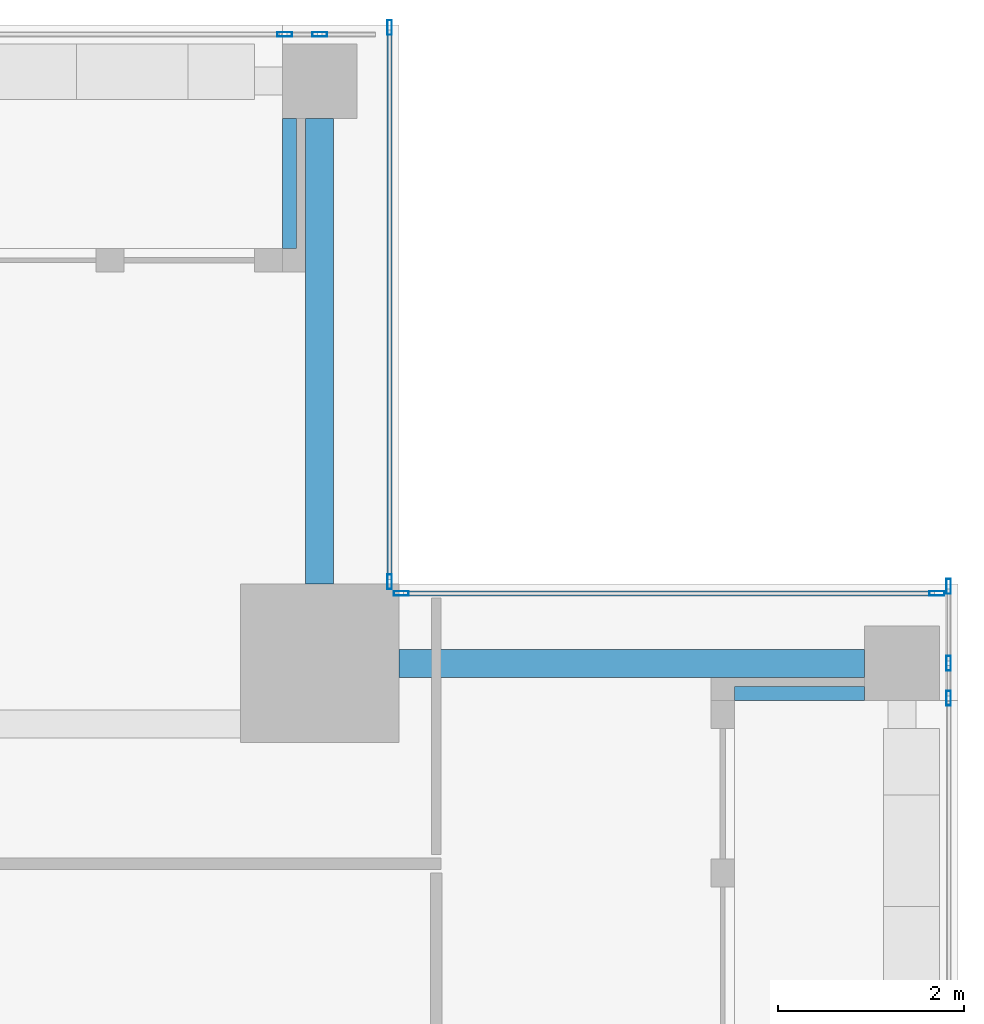
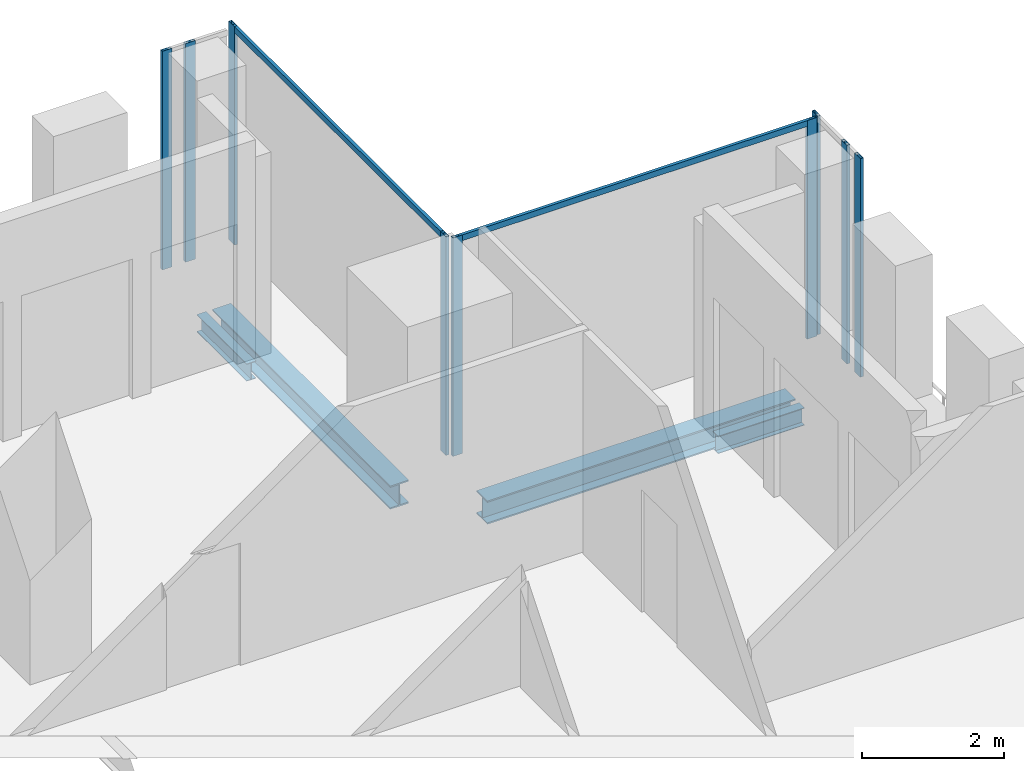
# One storey, part 18 of 29: 11 members, 4 beams, 4 elements without a shape of their own.
"""IFC4 building model written with IfcOpenShell, lengths in metres."""

from ifc_helpers import new_model, si_unit, direction, frame, origin, origin_2d, place, context, subcontext, project, spatial, hollow_rectangle, i_section, extrude, source, transform, mapped, material, material_profile, profile_set, type_object, element, aggregate, save


model = new_model("IFC4")

# Units and contexts
model_context = context("Model", 3, precision=1e-05, world=origin(), true_north=direction((0.0, 1.0)))
body_context = subcontext(model_context, "Body", "Model", "MODEL_VIEW")
ifc_project = project(units=[si_unit("LENGTHUNIT", "METRE"), si_unit("AREAUNIT", "SQUARE_METRE"), si_unit("VOLUMEUNIT", "CUBIC_METRE"), si_unit("PLANEANGLEUNIT", "RADIAN"), si_unit("MASSUNIT", "GRAM", prefix="KILO")], contexts=[model_context])

# Site, building, storey
site_placement = place(None, origin())
site = spatial("IfcSite", under=ifc_project, at=site_placement, CompositionType="ELEMENT")
building_placement = place(site_placement, origin())
building = spatial("IfcBuilding", under=site, at=building_placement, Name="Khomas Fold Tower", CompositionType="ELEMENT")
storey_placement = place(building_placement, frame((0.0, 0.0, 310.199951171875)))
storey = spatial("IfcBuildingStorey", under=building, at=storey_placement, Name="L70", CompositionType="ELEMENT", Elevation=310.199951171875)

# Beams
ifc_material_1 = material(Name="Steel S355", Category="steel")
ifc_material_profile_1 = material_profile(ifc_material_1, i_section(OverallWidth=0.300048828125, OverallDepth=0.39990234375, WebThickness=0.013427734375, FlangeThickness=0.02392578125, at=origin_2d()), Name="HE 400 B")
ifc_profile_set_1 = profile_set([ifc_material_profile_1], Name="Steel S355")
beam_type_1 = type_object("IfcBeamType", Name="HE 400 B spandrel SB5", PredefinedType="SPANDREL", material=ifc_profile_set_1)
shared_shape_1 = source(origin(), body_context, "Body", "SweptSolid", [
    extrude(i_section(OverallWidth=0.300048828125, OverallDepth=0.39990234375, WebThickness=0.013427734375, FlangeThickness=0.02392578125, at=origin_2d()), origin(), (0.0, 0.0, 1.0), 5.0),
])
for number, where, z_axis, x_axis, name in (
    (1, (42.0, 41.14990234375, -0.449951171875), (1.0, 0.0, 0.0), (0.0, 1.0, 0.0), "SB5"),
    (2, (41.14990234375, 42.0, -0.449951171875), (0.0, 1.0, 0.0), (-1.0, 0.0, 0.0), "SB5"),
):
    element("IfcBeam", number, at=place(storey_placement, frame(where, z_axis=z_axis, x_axis=x_axis)), inside=storey, type_object=beam_type_1, Name=name, PredefinedType="SPANDREL", context=body_context, shape_type="MappedRepresentation", body=[
        mapped(shared_shape_1, transform((0.0, 0.0, 0.0))),
    ])
ifc_material_2 = material(Name="Steel S355", Category="steel")
ifc_material_profile_2 = material_profile(ifc_material_2, i_section(OverallWidth=0.14990234375, OverallDepth=0.300048828125, WebThickness=0.007080078125, FlangeThickness=0.0107421875, at=origin_2d()), Name="IPE 300")
ifc_profile_set_2 = profile_set([ifc_material_profile_2], Name="Steel S355")
beam_type_2 = type_object("IfcBeamType", Name="IPE 300 beam BB2", PredefinedType="BEAM", material=ifc_profile_set_2)
shared_shape_2 = source(origin(), body_context, "Body", "SweptSolid", [
    extrude(i_section(OverallWidth=0.14990234375, OverallDepth=0.300048828125, WebThickness=0.007080078125, FlangeThickness=0.0107421875, at=origin_2d()), origin(), (0.0, 0.0, 1.0), 1.39990234375),
])
for number, where, z_axis, x_axis, name in (
    (3, (45.60009765625, 40.824951171875, -0.39990234375), (1.0, 0.0, 0.0), (0.0, 1.0, 0.0), "BB2"),
    (4, (40.824951171875, 45.60009765625, -0.39990234375), (0.0, 1.0, 0.0), (-1.0, 0.0, 0.0), "BB2"),
):
    element("IfcBeam", number, at=place(storey_placement, frame(where, z_axis=z_axis, x_axis=x_axis)), inside=storey, type_object=beam_type_2, Name=name, PredefinedType="BEAM", context=body_context, shape_type="MappedRepresentation", body=[
        mapped(shared_shape_2, transform((0.0, 0.0, 0.0))),
    ])

# Curtain wall, members
ifc_material_3 = material(Name="Aluminium framed double glazing", Category="aluminium")
curtain_wall_type = type_object("IfcCurtainWallType", Name="SK-Unitised clear-glass wall, upper floors CW3", PredefinedType="NOTDEFINED", material=ifc_material_3)
curtain_wall_1_placement = place(storey_placement, origin())
curtain_wall_1 = element("IfcCurtainWall", 5, at=curtain_wall_1_placement, inside=storey, type_object=curtain_wall_type, Name="CW3 run L70 03-1", PredefinedType="NOTDEFINED")
ifc_material_4 = material(Name="Aluminium", Category="aluminium")
ifc_material_profile_3 = material_profile(ifc_material_4, hollow_rectangle(XDim=0.050048828125, YDim=0.159912109375, WallThickness=0.00390625, at=origin_2d()), Name="SK-Unitised clear-glass wall, upper floors mullion CW3-M")
ifc_profile_set_3 = profile_set([ifc_material_profile_3], Name="Aluminium")
member_type_1 = type_object("IfcMemberType", Name="SK-Unitised clear-glass wall, upper floors mullion CW3-M", PredefinedType="MULLION", material=ifc_profile_set_3)
shared_shape_3 = source(origin(), body_context, "Body", "SweptSolid", [
    extrude(hollow_rectangle(XDim=0.050048828125, YDim=0.159912109375, WallThickness=0.00390625, at=origin_2d()), origin(), (0.0, 0.0, 1.0), 3.75),
])
member_1_placement = place(storey_placement, frame((47.89990234375, 40.77490234375, 0.0), z_axis=(0.0, 0.0, 1.0), x_axis=(-1.0, 0.0, 0.0)))
member_1 = element("IfcMember", 6, at=member_1_placement, type_object=member_type_1, Name="CW3 mullion 1", PredefinedType="MULLION", context=body_context, shape_type="MappedRepresentation", body=[
    mapped(shared_shape_3, transform((0.0, 0.0, 0.0))),
])
member_2_placement = place(storey_placement, frame((47.89990234375, 41.14990234375, 0.0), z_axis=(0.0, 0.0, 1.0), x_axis=(-1.0, 0.0, 0.0)))
member_2 = element("IfcMember", 7, at=member_2_placement, type_object=member_type_1, Name="CW3 mullion 2", PredefinedType="MULLION", context=body_context, shape_type="MappedRepresentation", body=[
    mapped(shared_shape_3, transform((0.0, 0.0, 0.0))),
])
member_3_placement = place(storey_placement, frame((47.89990234375, 41.97509765625, 0.0), z_axis=(0.0, 0.0, 1.0), x_axis=(-1.0, 0.0, 0.0)))
member_3 = element("IfcMember", 8, at=member_3_placement, type_object=member_type_1, Name="CW3 mullion 3", PredefinedType="MULLION", context=body_context, shape_type="MappedRepresentation", body=[
    mapped(shared_shape_3, transform((0.0, 0.0, 0.0))),
])
aggregate(curtain_wall_1, [member_1, member_2, member_3])

curtain_wall_2_placement = place(storey_placement, origin())
curtain_wall_2 = element("IfcCurtainWall", 9, at=curtain_wall_2_placement, inside=storey, type_object=curtain_wall_type, Name="CW3 corner return L70 04", PredefinedType="NOTDEFINED")
member_4_placement = place(storey_placement, frame((47.77490234375, 41.89990234375, 0.0), z_axis=(0.0, 0.0, 1.0), x_axis=(0.0, -1.0, 0.0)))
member_4 = element("IfcMember", 10, at=member_4_placement, type_object=member_type_1, Name="CW3 mullion 1", PredefinedType="MULLION", context=body_context, shape_type="MappedRepresentation", body=[
    mapped(shared_shape_3, transform((0.0, 0.0, 0.0))),
])
member_5_placement = place(storey_placement, frame((42.02490234375, 41.89990234375, 0.0), z_axis=(0.0, 0.0, 1.0), x_axis=(0.0, -1.0, 0.0)))
member_5 = element("IfcMember", 11, at=member_5_placement, type_object=member_type_1, Name="CW3 mullion 2", PredefinedType="MULLION", context=body_context, shape_type="MappedRepresentation", body=[
    mapped(shared_shape_3, transform((0.0, 0.0, 0.0))),
])

curtain_wall_3_placement = place(storey_placement, origin())
curtain_wall_3 = element("IfcCurtainWall", 12, at=curtain_wall_3_placement, inside=storey, type_object=curtain_wall_type, Name="CW3 corner return L70 05", PredefinedType="NOTDEFINED")
member_6_placement = place(storey_placement, frame((41.89990234375, 42.02490234375, 0.0), z_axis=(0.0, 0.0, 1.0), x_axis=(-1.0, 0.0, 0.0)))
member_6 = element("IfcMember", 13, at=member_6_placement, type_object=member_type_1, Name="CW3 mullion 1", PredefinedType="MULLION", context=body_context, shape_type="MappedRepresentation", body=[
    mapped(shared_shape_3, transform((0.0, 0.0, 0.0))),
])
member_7_placement = place(storey_placement, frame((41.89990234375, 47.97509765625, 0.0), z_axis=(0.0, 0.0, 1.0), x_axis=(-1.0, 0.0, 0.0)))
member_7 = element("IfcMember", 14, at=member_7_placement, type_object=member_type_1, Name="CW3 mullion 2", PredefinedType="MULLION", context=body_context, shape_type="MappedRepresentation", body=[
    mapped(shared_shape_3, transform((0.0, 0.0, 0.0))),
])

curtain_wall_4_placement = place(storey_placement, origin())
curtain_wall_4 = element("IfcCurtainWall", 15, at=curtain_wall_4_placement, inside=storey, type_object=curtain_wall_type, Name="CW3 run L70 06-0", PredefinedType="NOTDEFINED")
member_8_placement = place(storey_placement, frame((41.14990234375, 47.89990234375, 0.0), z_axis=(0.0, 0.0, 1.0), x_axis=(0.0, -1.0, 0.0)))
member_8 = element("IfcMember", 16, at=member_8_placement, type_object=member_type_1, Name="CW3 mullion 2", PredefinedType="MULLION", context=body_context, shape_type="MappedRepresentation", body=[
    mapped(shared_shape_3, transform((0.0, 0.0, 0.0))),
])
member_9_placement = place(storey_placement, frame((40.77490234375, 47.89990234375, 0.0), z_axis=(0.0, 0.0, 1.0), x_axis=(0.0, -1.0, 0.0)))
member_9 = element("IfcMember", 17, at=member_9_placement, type_object=member_type_1, Name="CW3 mullion 3", PredefinedType="MULLION", context=body_context, shape_type="MappedRepresentation", body=[
    mapped(shared_shape_3, transform((0.0, 0.0, 0.0))),
])
aggregate(curtain_wall_4, [member_8, member_9])

# Member
ifc_material_5 = material(Name="Aluminium", Category="aluminium")
ifc_material_profile_4 = material_profile(ifc_material_5, hollow_rectangle(XDim=0.050048828125, YDim=0.10009765625, WallThickness=0.00390625, at=origin_2d()), Name="SK-Unitised clear-glass wall, upper floors transom CW3-T")
ifc_profile_set_4 = profile_set([ifc_material_profile_4], Name="Aluminium")
member_type_2 = type_object("IfcMemberType", Name="SK-Unitised clear-glass wall, upper floors transom CW3-T", PredefinedType="USERDEFINED", material=ifc_profile_set_4)
shared_shape_4 = source(origin(), body_context, "Body", "SweptSolid", [
    extrude(hollow_rectangle(XDim=0.050048828125, YDim=0.10009765625, WallThickness=0.00390625, at=origin_2d()), origin(), (0.0, 0.0, 1.0), 5.699951171875),
])
member_10_placement = place(storey_placement, frame((47.75, 41.89990234375, 3.699951171875), z_axis=(-1.0, 0.0, 0.0), x_axis=(0.0, -1.0, 0.0)))
member_10 = element("IfcMember", 18, at=member_10_placement, type_object=member_type_2, Name="CW3 transom 1", ObjectType="TRANSOM", PredefinedType="USERDEFINED", context=body_context, shape_type="MappedRepresentation", body=[
    mapped(shared_shape_4, transform((0.0, 0.0, 0.0))),
])

aggregate(curtain_wall_2, [member_4, member_5, member_10])

shared_shape_5 = source(origin(), body_context, "Body", "SweptSolid", [
    extrude(hollow_rectangle(XDim=0.050048828125, YDim=0.10009765625, WallThickness=0.00390625, at=origin_2d()), origin(), (0.0, 0.0, 1.0), 5.89990234375),
])
member_11_placement = place(storey_placement, frame((41.89990234375, 42.050048828125, 3.699951171875), z_axis=(0.0, 1.0, 0.0), x_axis=(-1.0, 0.0, 0.0)))
member_11 = element("IfcMember", 19, at=member_11_placement, type_object=member_type_2, Name="CW3 transom 1", ObjectType="TRANSOM", PredefinedType="USERDEFINED", context=body_context, shape_type="MappedRepresentation", body=[
    mapped(shared_shape_5, transform((0.0, 0.0, 0.0))),
])

aggregate(curtain_wall_3, [member_6, member_7, member_11])

save(model, "model.ifc")
